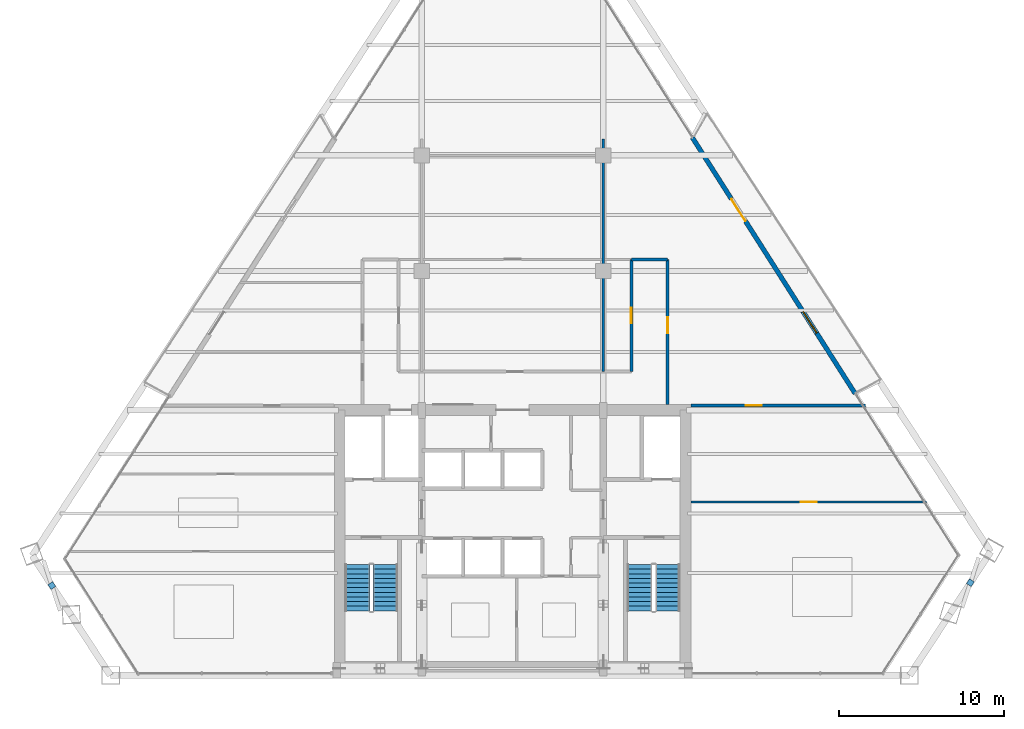
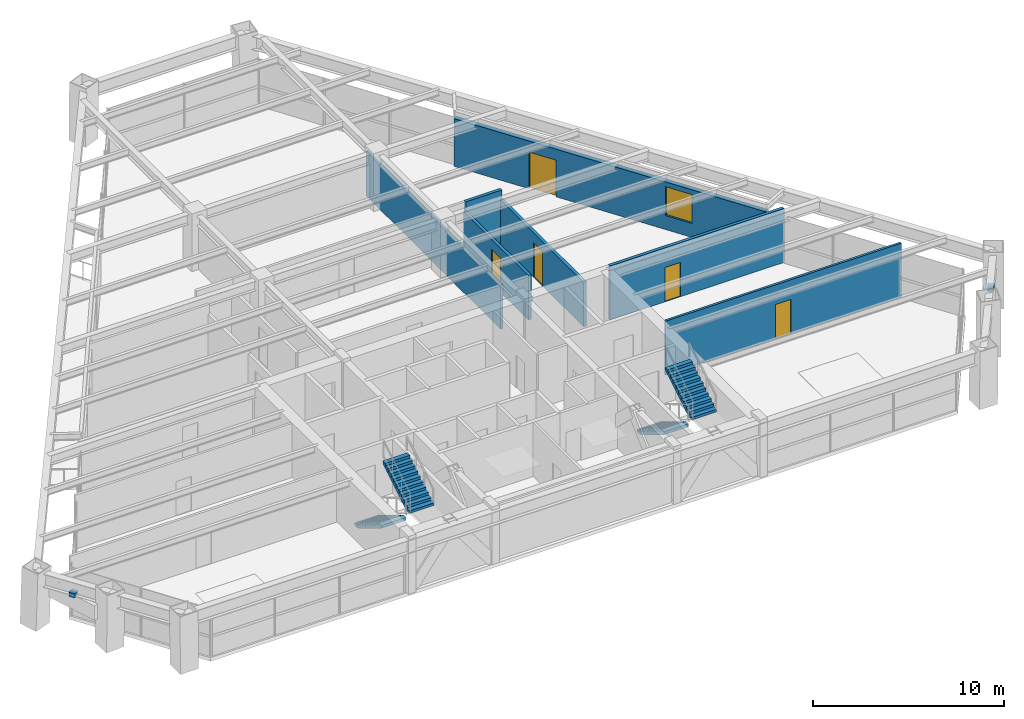
# One storey, part 13 of 15: 7 walls, 5 doors, 4 stair flights, 2 discrete accessories, 1 window, 6 openings, 2 elements without a shape of their own.
"""IFC4 building model written with IfcOpenShell, lengths in metres."""

from ifc_helpers import new_model, si_unit, direction, frame, frame_2d, origin, origin_2d, place, context, subcontext, project, spatial, polyline, rectangle, outline, extrude, source, transform, mapped, material, layer, layer_set, type_object, type_shapes, element, fill, aggregate, save


model = new_model("IFC4")

# Units and contexts
model_context = context("Model", 3, precision=1e-05, world=origin(), true_north=direction((0.0, 1.0)))
body_context = subcontext(model_context, "Body", "Model", "MODEL_VIEW")
ifc_project = project(units=[si_unit("LENGTHUNIT", "METRE"), si_unit("AREAUNIT", "SQUARE_METRE"), si_unit("VOLUMEUNIT", "CUBIC_METRE"), si_unit("PLANEANGLEUNIT", "RADIAN"), si_unit("MASSUNIT", "GRAM", prefix="KILO")], contexts=[model_context])

# Site, building, storey
site_placement = place(None, origin())
site = spatial("IfcSite", under=ifc_project, at=site_placement, CompositionType="ELEMENT")
building_placement = place(site_placement, origin())
building = spatial("IfcBuilding", under=site, at=building_placement, Name="Varnakhor Terracotta Tower", CompositionType="ELEMENT")
storey_placement = place(building_placement, frame((0.0, 0.0, 155.199951171875)))
storey = spatial("IfcBuildingStorey", under=building, at=storey_placement, Name="L39", CompositionType="ELEMENT", Elevation=155.199951171875)

# Wall, opening, door
ifc_material_1 = material(Name="Fire-Rated Gypsum Stud Partition", Category="gypsum")
ifc_layer_1 = layer(ifc_material_1, 0.18505859375, Name="Fire-Rated Gypsum Stud Partition")
ifc_layer_set_1 = layer_set([ifc_layer_1], Name="Fire-Rated Gypsum Stud Partition")
wall_type_1 = type_object("IfcWallType", Name="WAL-CORR-185", PredefinedType="PARTITIONING", material=ifc_layer_set_1)
wall_1_placement = place(storey_placement, frame((7.199951171875, 18.39990234375, 0.0), z_axis=(0.0, 0.0, 1.0), x_axis=(0.0, 1.0, 0.0)))
wall_1 = element("IfcWall", 1, at=wall_1_placement, inside=storey, type_object=wall_type_1, Name="L39 East Gallery Inner Wall", PredefinedType="PARTITIONING", context=body_context, shape_type="SweptSolid", body=[
    extrude(rectangle(XDim=6.800048828125, YDim=0.18505859375, at=frame_2d((3.39990234375, 0.0))), origin(), (0.0, 0.0, 1.0), 2.845947265625),
])
opening_1_placement = place(wall_1_placement, frame((2.925048828125, 0.0, 0.0)))
opening_1 = element("IfcOpeningElement", 2, at=opening_1_placement, cuts=wall_1, Name="Opening DR-94", PredefinedType="OPENING", context=body_context, shape_type="SweptSolid", body=[
    extrude(rectangle(XDim=0.949951171875, YDim=2.199951171875, at=frame_2d((0.47509765625, 1.10009765625))), frame((0.0, 0.1025390625, 0.0), z_axis=(0.0, -1.0, 0.0), x_axis=(1.0, 0.0, 0.0)), (0.0, 0.0, 1.0), 0.205078125),
])
ifc_material_2 = material(Name="Acoustic Glazed-Vision Timber Office Door", Category="wood")
door_type_1 = type_object("IfcDoorType", Name="DR-OFF-950X2200", OperationType="NOTDEFINED", PredefinedType="DOOR", material=ifc_material_2)
shared_shape_1 = source(origin(), body_context, "Body", "SweptSolid", [
    extrude(rectangle(XDim=0.949951171875, YDim=2.199951171875, at=frame_2d((0.47509765625, 1.10009765625))), frame((0.0, 0.02490234375, 0.0), z_axis=(0.0, -1.0, 0.0), x_axis=(1.0, 0.0, 0.0)), (0.0, 0.0, 1.0), 0.050048828125),
])
type_shapes(door_type_1, [shared_shape_1])
door_1_placement = place(opening_1_placement, origin())
door_1 = element("IfcDoor", 3, at=door_1_placement, inside=storey, type_object=door_type_1, Name="L39 Staff Dining Kitchen 1 B10 Door", OperationType="SINGLE_SWING_LEFT", OverallHeight=2.199951171875, OverallWidth=0.949951171875, PredefinedType="DOOR", context=body_context, shape_type="MappedRepresentation", body=[
    mapped(shared_shape_1, transform((0.0, 0.0, 0.0), scale=1.0)),
])
fill(opening_1, door_1)

wall_2_placement = place(storey_placement, frame((9.39990234375, 16.39990234375, 0.0), z_axis=(0.0, 0.0, 1.0), x_axis=(0.0, 1.0, 0.0)))
wall_2 = element("IfcWall", 4, at=wall_2_placement, inside=storey, type_object=wall_type_1, Name="L39 East Gallery Outer Wall", PredefinedType="PARTITIONING", context=body_context, shape_type="SweptSolid", body=[
    extrude(rectangle(XDim=8.800048828125, YDim=0.18505859375, at=frame_2d((4.39990234375, 0.0))), origin(), (0.0, 0.0, 1.0), 2.845947265625),
])
opening_2_placement = place(wall_2_placement, frame((4.3310546875, 0.0, 0.0)))
opening_2 = element("IfcOpeningElement", 5, at=opening_2_placement, cuts=wall_2, Name="Opening DR-94", PredefinedType="OPENING", context=body_context, shape_type="SweptSolid", body=[
    extrude(rectangle(XDim=0.949951171875, YDim=2.199951171875, at=frame_2d((0.47509765625, 1.10009765625))), frame((0.0, 0.1025390625, 0.0), z_axis=(0.0, -1.0, 0.0), x_axis=(1.0, 0.0, 0.0)), (0.0, 0.0, 1.0), 0.205078125),
])
door_2_placement = place(opening_2_placement, origin())
door_2 = element("IfcDoor", 6, at=door_2_placement, inside=storey, type_object=door_type_1, Name="L39 East Wing Door", OperationType="SINGLE_SWING_LEFT", OverallHeight=2.199951171875, OverallWidth=0.949951171875, PredefinedType="DOOR", context=body_context, shape_type="MappedRepresentation", body=[
    mapped(shared_shape_1, transform((0.0, 0.0, 0.0), scale=1.0)),
])
fill(opening_2, door_2)

# Wall
wall_3_placement = place(storey_placement, frame((7.199951171875, 25.199951171875, 0.0), z_axis=(0.0, 0.0, 1.0), x_axis=(1.0, 0.0, 0.0)))
element("IfcWall", 7, at=wall_3_placement, inside=storey, type_object=wall_type_1, Name="L39 East Gallery North End", PredefinedType="PARTITIONING", context=body_context, shape_type="SweptSolid", body=[
    extrude(rectangle(XDim=2.199951171875, YDim=0.18505859375, at=frame_2d((1.10009765625, 0.0))), origin(), (0.0, 0.0, 1.0), 3.462158203125),
])

# Wall, opening, door
wall_4_placement = place(storey_placement, frame((10.820068359375, 16.35009765625, 0.0), z_axis=(0.0, 0.0, 1.0), x_axis=(1.0, 0.0, 0.0)))
wall_4 = element("IfcWall", 8, at=wall_4_placement, inside=storey, type_object=wall_type_1, Name="L39 South East Entry Wall", PredefinedType="PARTITIONING", context=body_context, shape_type="SweptSolid", body=[
    extrude(rectangle(XDim=10.549072265625, YDim=0.18505859375, at=frame_2d((5.2744140625, 0.0))), origin(), (0.0, 0.0, 1.0), 3.462158203125),
])
opening_3_placement = place(wall_4_placement, frame((3.319091796875, 0.0, 0.0)))
opening_3 = element("IfcOpeningElement", 9, at=opening_3_placement, cuts=wall_4, Name="Opening DR-94", PredefinedType="OPENING", context=body_context, shape_type="SweptSolid", body=[
    extrude(rectangle(XDim=0.949951171875, YDim=2.199951171875, at=frame_2d((0.47509765625, 1.10009765625))), frame((0.0, 0.1025390625, 0.0), z_axis=(0.0, -1.0, 0.0), x_axis=(1.0, 0.0, 0.0)), (0.0, 0.0, 1.0), 0.205078125),
])
door_3_placement = place(opening_3_placement, origin())
door_3 = element("IfcDoor", 10, at=door_3_placement, inside=storey, type_object=door_type_1, Name="L39 SE Suite Door", OperationType="SINGLE_SWING_LEFT", OverallHeight=2.199951171875, OverallWidth=0.949951171875, PredefinedType="DOOR", context=body_context, shape_type="MappedRepresentation", body=[
    mapped(shared_shape_1, transform((0.0, 0.0, 0.0), scale=1.0)),
])
fill(opening_3, door_3)

# Wall, openings, door, window
ifc_material_3 = material(Name="Extruded Architectural Terracotta Assembly", Category="masonry")
ifc_layer_2 = layer(ifc_material_3, 0.280029296875, Name="Extruded Architectural Terracotta Assembly")
ifc_layer_set_2 = layer_set([ifc_layer_2], Name="Extruded Architectural Terracotta Assembly")
wall_type_2 = type_object("IfcWallType", Name="WAL-EXT-TERRACOTTA-280", PredefinedType="SOLIDWALL", material=ifc_layer_set_2)
wall_5_placement = place(storey_placement, frame((10.88916015625, 32.588134765625, 0.0), z_axis=(0.0, 0.0, 1.0), x_axis=(0.536603894372, -0.8438342613, 0.0)))
wall_5 = element("IfcWall", 11, at=wall_5_placement, inside=storey, type_object=wall_type_2, Name="L39 E Loggia Insulated Terracotta Wall", PredefinedType="SOLIDWALL", context=body_context, shape_type="SweptSolid", body=[
    extrude(rectangle(XDim=18.3818359375, YDim=0.280029296875, at=frame_2d((9.19091796875, 0.0))), origin(), (0.0, 0.0, 1.0), 3.050048828125),
])
opening_4_placement = place(wall_5_placement, frame((4.41162109375, 0.0, 0.0)))
opening_4 = element("IfcOpeningElement", 12, at=opening_4_placement, cuts=wall_5, Name="Opening DR-62", PredefinedType="OPENING", context=body_context, shape_type="SweptSolid", body=[
    extrude(rectangle(XDim=1.60009765625, YDim=2.35009765625, at=frame_2d((0.800048828125, 1.175048828125))), frame((0.0, 0.14990234375, 0.0), z_axis=(0.0, -1.0, 0.0), x_axis=(1.0, 0.0, 0.0)), (0.0, 0.0, 1.0), 0.300048828125),
])
opening_5_placement = place(wall_5_placement, frame((12.49951171875, 0.0, 0.89990234375)))
opening_5 = element("IfcOpeningElement", 13, at=opening_5_placement, cuts=wall_5, Name="Opening WN-57", PredefinedType="OPENING", context=body_context, shape_type="SweptSolid", body=[
    extrude(rectangle(XDim=1.550048828125, YDim=1.85009765625, at=frame_2d((0.77490234375, 0.925048828125))), frame((0.0, 0.14990234375, 0.0), z_axis=(0.0, -1.0, 0.0), x_axis=(1.0, 0.0, 0.0)), (0.0, 0.0, 1.0), 0.300048828125),
])
ifc_material_4 = material(Name="Thermally Broken Sliding Glass Loggia Door", Category="glass")
door_type_2 = type_object("IfcDoorType", Name="DR-EXT-LOGGIA-1600X2350", OperationType="NOTDEFINED", PredefinedType="DOOR", material=ifc_material_4)
shared_shape_2 = source(origin(), body_context, "Body", "SweptSolid", [
    extrude(rectangle(XDim=1.60009765625, YDim=2.35009765625, at=frame_2d((0.800048828125, 1.175048828125))), frame((0.0, 0.02490234375, 0.0), z_axis=(0.0, -1.0, 0.0), x_axis=(1.0, 0.0, 0.0)), (0.0, 0.0, 1.0), 0.050048828125),
])
type_shapes(door_type_2, [shared_shape_2])
door_4_placement = place(opening_4_placement, origin())
door_4 = element("IfcDoor", 14, at=door_4_placement, inside=storey, type_object=door_type_2, Name="L39 E Recessed Loggia Sliding Door", OperationType="SLIDING_TO_RIGHT", OverallHeight=2.35009765625, OverallWidth=1.60009765625, PredefinedType="DOOR", context=body_context, shape_type="MappedRepresentation", body=[
    mapped(shared_shape_2, transform((0.0, 0.0, 0.0), scale=1.0)),
])
fill(opening_4, door_4)
ifc_material_5 = material(Name="Solar-Control Low-E Insulated Glass Unit", Category="glass")
window_type = type_object("IfcWindowType", Name="WIN-OFF-1650X2100", PartitioningType="SINGLE_PANEL", PredefinedType="WINDOW", material=ifc_material_5)
shared_shape_3 = source(origin(), body_context, "Body", "SweptSolid", [
    extrude(rectangle(XDim=1.550048828125, YDim=1.85009765625, at=frame_2d((0.77490234375, 0.925048828125))), frame((0.0, 0.030029296875, 0.0), z_axis=(0.0, -1.0, 0.0), x_axis=(1.0, 0.0, 0.0)), (0.0, 0.0, 1.0), 0.06005859375),
])
type_shapes(window_type, [shared_shape_3])
window_placement = place(opening_5_placement, origin())
window = element("IfcWindow", 15, at=window_placement, inside=storey, type_object=window_type, Name="L39 E Facet Punched Window", OverallHeight=1.85009765625, OverallWidth=1.550048828125, PartitioningType="SINGLE_PANEL", PredefinedType="WINDOW", context=body_context, shape_type="MappedRepresentation", body=[
    mapped(shared_shape_3, transform((0.0, 0.0, 0.0), scale=1.0)),
])
fill(opening_5, window)

# Wall
ifc_material_6 = material(Name="Acoustic Metal-Stud Partition", Category="gypsum")
ifc_layer_3 = layer(ifc_material_6, 0.139892578125, Name="Acoustic Metal-Stud Partition")
ifc_layer_set_3 = layer_set([ifc_layer_3], Name="Acoustic Metal-Stud Partition")
wall_type_3 = type_object("IfcWallType", Name="WAL-PART-140", PredefinedType="PARTITIONING", material=ifc_layer_set_3)
wall_6_placement = place(storey_placement, frame((5.5, 18.39990234375, 0.0), z_axis=(0.0, 0.0, 1.0), x_axis=(0.0, 1.0, 0.0)))
element("IfcWall", 16, at=wall_6_placement, inside=storey, type_object=wall_type_3, Name="L39 Center East Column Wall", PredefinedType="PARTITIONING", context=body_context, shape_type="SweptSolid", body=[
    extrude(rectangle(XDim=14.10009765625, YDim=0.139892578125, at=frame_2d((7.050048828125, 0.0))), origin(), (0.0, 0.0, 1.0), 2.845947265625),
])

# Wall, opening, door
wall_7_placement = place(storey_placement, frame((10.820068359375, 10.5, 0.0), z_axis=(0.0, 0.0, 1.0), x_axis=(1.0, 0.0, 0.0)))
wall_7 = element("IfcWall", 17, at=wall_7_placement, inside=storey, type_object=wall_type_3, Name="L39 East Wing Cut 1", PredefinedType="PARTITIONING", context=body_context, shape_type="SweptSolid", body=[
    extrude(rectangle(XDim=14.26904296875, YDim=0.139892578125, at=frame_2d((7.134521484375, 0.0))), origin(), (0.0, 0.0, 1.0), 3.462158203125),
])
opening_6_placement = place(wall_7_placement, frame((6.65185546875, 0.0, 0.0)))
opening_6 = element("IfcOpeningElement", 18, at=opening_6_placement, cuts=wall_7, Name="Opening DR-94", PredefinedType="OPENING", context=body_context, shape_type="SweptSolid", body=[
    extrude(rectangle(XDim=0.949951171875, YDim=2.199951171875, at=frame_2d((0.47509765625, 1.10009765625))), frame((0.0, 0.080078125, 0.0), z_axis=(0.0, -1.0, 0.0), x_axis=(1.0, 0.0, 0.0)), (0.0, 0.0, 1.0), 0.159912109375),
])
door_5_placement = place(opening_6_placement, origin())
door_5 = element("IfcDoor", 19, at=door_5_placement, inside=storey, type_object=door_type_1, Name="L39 Staff Dining Kitchen 1 SE Door", OperationType="SINGLE_SWING_RIGHT", OverallHeight=2.199951171875, OverallWidth=0.949951171875, PredefinedType="DOOR", context=body_context, shape_type="MappedRepresentation", body=[
    mapped(shared_shape_1, transform((0.0, 0.0, 0.0), scale=1.0)),
])
fill(opening_6, door_5)

# Stair, stair flights
ifc_material_7 = material(Name="Concrete C40/50", Category="concrete")
stair_type = type_object("IfcStairType", Name="STR-CORE-OFFICE-1500", PredefinedType="HALF_TURN_STAIR", material=ifc_material_7)
stair_1_placement = place(storey_placement, origin())
stair_1 = element("IfcStair", 20, at=stair_1_placement, inside=storey, type_object=stair_type, Name="L39 Core Exit Stair ST-1", PredefinedType="HALF_TURN_STAIR")
stair_flight_type = type_object("IfcStairFlightType", Name="FLT-CORE-1500", PredefinedType="STRAIGHT", material=ifc_material_7)
stair_flight_1_placement = place(storey_placement, frame((-9.39990234375, 6.7099609375, 0.0), z_axis=(0.0, 0.0, 1.0), x_axis=(0.0, -1.0, 0.0)))
stair_flight_1 = element("IfcStairFlight", 21, at=stair_flight_1_placement, type_object=stair_flight_type, Name="ST-1 flight 1", NumberOfRisers=11, NumberOfTreads=10, PredefinedType="STRAIGHT", RiserHeight=0.168181818, TreadLength=0.28, context=body_context, shape_type="SweptSolid", body=[
    extrude(outline(polyline([(0.0, 0.0), (0.0, 0.168212890625), (0.280029296875, 0.168212890625), (0.280029296875, 0.33642578125), (0.56005859375, 0.33642578125), (0.56005859375, 0.504638671875), (0.840087890625, 0.504638671875), (0.840087890625, 0.672607421875), (1.1201171875, 0.672607421875), (1.1201171875, 0.8408203125), (1.39990234375, 0.8408203125), (1.39990234375, 1.009033203125), (1.679931640625, 1.009033203125), (1.679931640625, 1.17724609375), (1.9599609375, 1.17724609375), (1.9599609375, 1.345458984375), (2.239990234375, 1.345458984375), (2.239990234375, 1.513671875), (2.52001953125, 1.513671875), (2.52001953125, 1.681884765625), (2.800048828125, 1.681884765625), (2.800048828125, 1.85009765625), (2.800048828125, 1.495361328125), (0.310546875, 0.0), (0.0, 0.0)])), frame((0.0, 0.75, 0.0), z_axis=(0.0, -1.0, 0.0), x_axis=(1.0, 0.0, 0.0)), (0.0, 0.0, 1.0), 1.5),
])
stair_flight_2_placement = place(storey_placement, frame((-7.699951171875, 3.909912109375, 1.85009765625), z_axis=(0.0, 0.0, 1.0), x_axis=(0.0, 1.0, 0.0)))
stair_flight_2 = element("IfcStairFlight", 22, at=stair_flight_2_placement, type_object=stair_flight_type, Name="ST-1 flight 2", NumberOfRisers=11, NumberOfTreads=10, PredefinedType="STRAIGHT", RiserHeight=0.168181818, TreadLength=0.28, context=body_context, shape_type="SweptSolid", body=[
    extrude(outline(polyline([(0.0, 0.0), (0.0, 0.168212890625), (0.280029296875, 0.168212890625), (0.280029296875, 0.33642578125), (0.56005859375, 0.33642578125), (0.56005859375, 0.504638671875), (0.840087890625, 0.504638671875), (0.840087890625, 0.672607421875), (1.1201171875, 0.672607421875), (1.1201171875, 0.8408203125), (1.39990234375, 0.8408203125), (1.39990234375, 1.009033203125), (1.679931640625, 1.009033203125), (1.679931640625, 1.17724609375), (1.9599609375, 1.17724609375), (1.9599609375, 1.345458984375), (2.239990234375, 1.345458984375), (2.239990234375, 1.513671875), (2.52001953125, 1.513671875), (2.52001953125, 1.681884765625), (2.800048828125, 1.681884765625), (2.800048828125, 1.85009765625), (2.800048828125, 1.495361328125), (0.310546875, 0.0), (0.0, 0.0)])), frame((0.0, 0.75, 0.0), z_axis=(0.0, -1.0, 0.0), x_axis=(1.0, 0.0, 0.0)), (0.0, 0.0, 1.0), 1.5),
])
aggregate(stair_1, [stair_flight_1, stair_flight_2])

stair_2_placement = place(storey_placement, origin())
stair_2 = element("IfcStair", 23, at=stair_2_placement, inside=storey, type_object=stair_type, Name="L39 Core Exit Stair ST-2", PredefinedType="HALF_TURN_STAIR")
stair_flight_3_placement = place(storey_placement, frame((7.699951171875, 6.7099609375, 0.0), z_axis=(0.0, 0.0, 1.0), x_axis=(0.0, -1.0, 0.0)))
stair_flight_3 = element("IfcStairFlight", 24, at=stair_flight_3_placement, type_object=stair_flight_type, Name="ST-2 flight 1", NumberOfRisers=11, NumberOfTreads=10, PredefinedType="STRAIGHT", RiserHeight=0.168181818, TreadLength=0.28, context=body_context, shape_type="SweptSolid", body=[
    extrude(outline(polyline([(0.0, 0.0), (0.0, 0.168212890625), (0.280029296875, 0.168212890625), (0.280029296875, 0.33642578125), (0.56005859375, 0.33642578125), (0.56005859375, 0.504638671875), (0.840087890625, 0.504638671875), (0.840087890625, 0.672607421875), (1.1201171875, 0.672607421875), (1.1201171875, 0.8408203125), (1.39990234375, 0.8408203125), (1.39990234375, 1.009033203125), (1.679931640625, 1.009033203125), (1.679931640625, 1.17724609375), (1.9599609375, 1.17724609375), (1.9599609375, 1.345458984375), (2.239990234375, 1.345458984375), (2.239990234375, 1.513671875), (2.52001953125, 1.513671875), (2.52001953125, 1.681884765625), (2.800048828125, 1.681884765625), (2.800048828125, 1.85009765625), (2.800048828125, 1.495361328125), (0.310546875, 0.0), (0.0, 0.0)])), frame((0.0, 0.75, 0.0), z_axis=(0.0, -1.0, 0.0), x_axis=(1.0, 0.0, 0.0)), (0.0, 0.0, 1.0), 1.5),
])
stair_flight_4_placement = place(storey_placement, frame((9.39990234375, 3.909912109375, 1.85009765625), z_axis=(0.0, 0.0, 1.0), x_axis=(0.0, 1.0, 0.0)))
stair_flight_4 = element("IfcStairFlight", 25, at=stair_flight_4_placement, type_object=stair_flight_type, Name="ST-2 flight 2", NumberOfRisers=11, NumberOfTreads=10, PredefinedType="STRAIGHT", RiserHeight=0.168181818, TreadLength=0.28, context=body_context, shape_type="SweptSolid", body=[
    extrude(outline(polyline([(0.0, 0.0), (0.0, 0.168212890625), (0.280029296875, 0.168212890625), (0.280029296875, 0.33642578125), (0.56005859375, 0.33642578125), (0.56005859375, 0.504638671875), (0.840087890625, 0.504638671875), (0.840087890625, 0.672607421875), (1.1201171875, 0.672607421875), (1.1201171875, 0.8408203125), (1.39990234375, 0.8408203125), (1.39990234375, 1.009033203125), (1.679931640625, 1.009033203125), (1.679931640625, 1.17724609375), (1.9599609375, 1.17724609375), (1.9599609375, 1.345458984375), (2.239990234375, 1.345458984375), (2.239990234375, 1.513671875), (2.52001953125, 1.513671875), (2.52001953125, 1.681884765625), (2.800048828125, 1.681884765625), (2.800048828125, 1.85009765625), (2.800048828125, 1.495361328125), (0.310546875, 0.0), (0.0, 0.0)])), frame((0.0, 0.75, 0.0), z_axis=(0.0, -1.0, 0.0), x_axis=(1.0, 0.0, 0.0)), (0.0, 0.0, 1.0), 1.5),
])
aggregate(stair_2, [stair_flight_3, stair_flight_4])

# Discrete accessories
ifc_material_8 = material(Name="Stainless Steel Fixing Bracket", Category="steel")
discrete_accessory_type = type_object("IfcDiscreteAccessoryType", Name="BRACKET-TERRACOTTA-SCREEN", PredefinedType="BRACKET", material=ifc_material_8)
shared_shape_4 = source(origin(), body_context, "Body", "SweptSolid", [
    extrude(rectangle(XDim=0.35009765625, YDim=0.35009765625, at=origin_2d()), origin(), (0.0, 0.0, 1.0), 0.280029296875),
])
type_shapes(discrete_accessory_type, [shared_shape_4])
for number, where, z_axis, x_axis, name in (
    (26, (27.738525390625, 5.61328125, 2.48486328125), (0.0, 0.0, 1.0), (0.54773846299, 0.836649613734, 0.0), "L39 E Screen Fixing Bracket"),
    (27, (-27.913330078125, 5.437744140625, 2.48486328125), (0.0, 0.0, 1.0), (0.54599961029, -0.837785429309, 0.0), "L39 W Screen Fixing Bracket"),
):
    element("IfcDiscreteAccessory", number, at=place(storey_placement, frame(where, z_axis=z_axis, x_axis=x_axis)), inside=storey, type_object=discrete_accessory_type, Name=name, PredefinedType="BRACKET", context=body_context, shape_type="MappedRepresentation", body=[
        mapped(shared_shape_4, transform((0.0, 0.0, 0.0), scale=1.0)),
    ])

save(model, "model.ifc")
